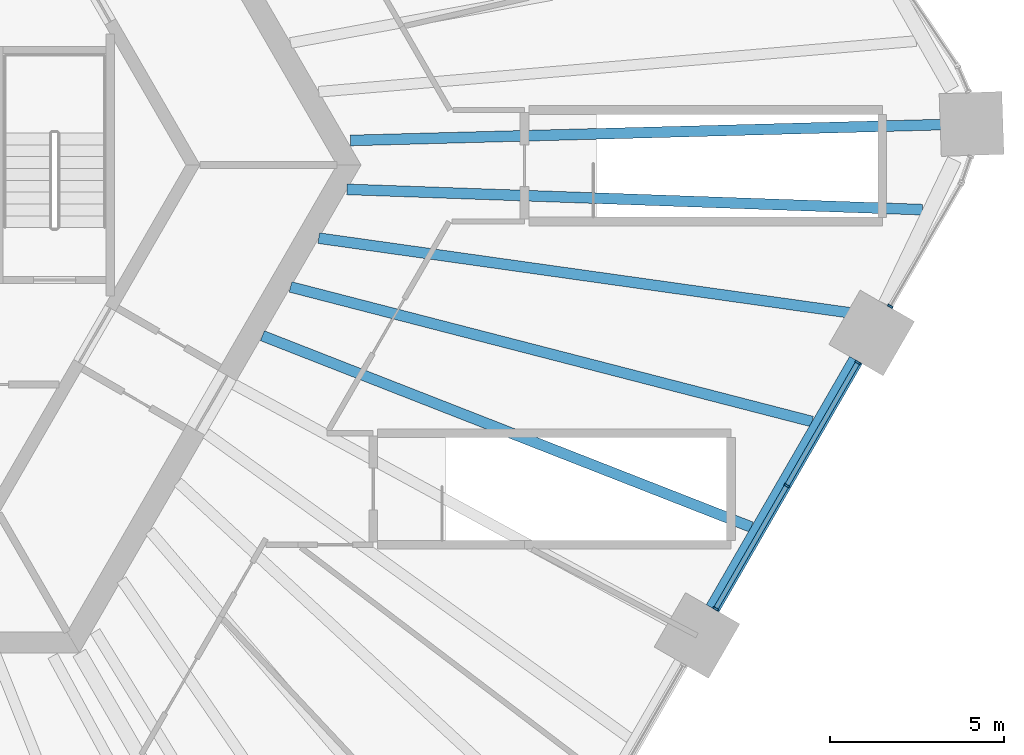
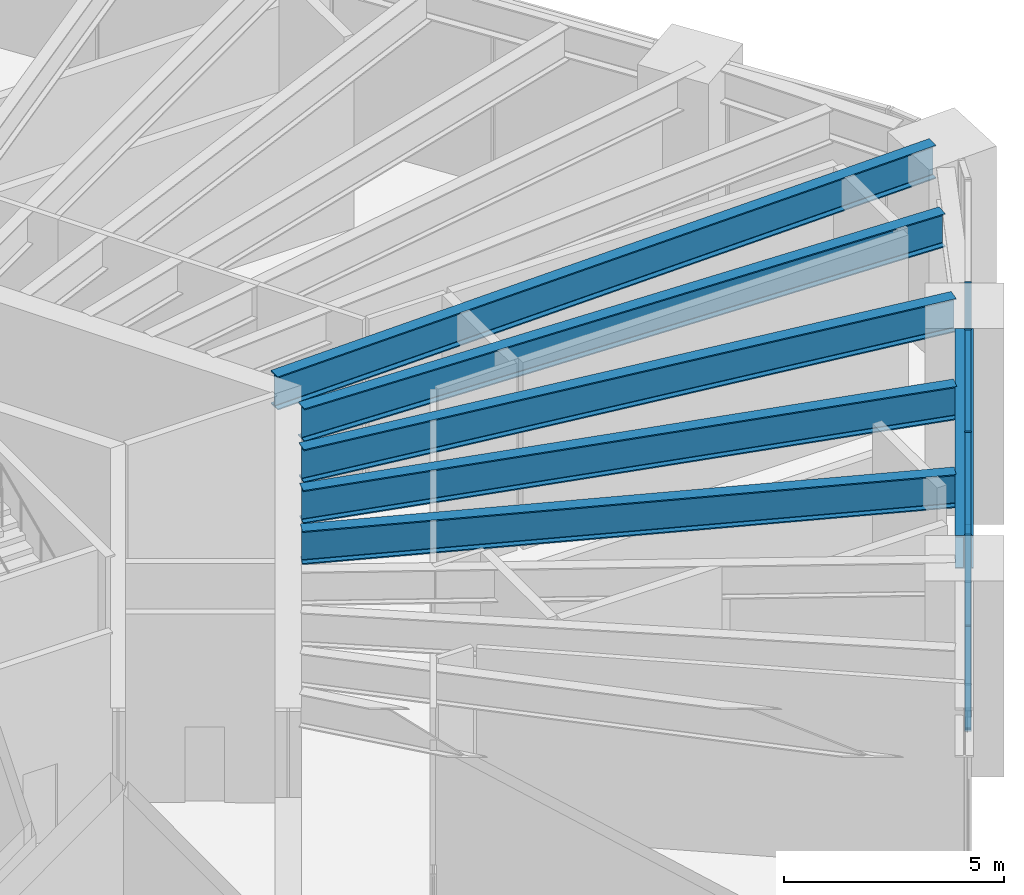
# One storey, part 5 of 25: 8 members, 6 beams, 2 elements without a shape of their own.
"""IFC4 building model written with IfcOpenShell, lengths in metres."""

import ifcopenshell
import ifcopenshell.guid

model = None  # the IFC model being written
_history = None  # IfcOwnerHistory: only IFC2X3 demands one
_inside = {}  # id of a spatial element -> (the spatial element, [elements in it])
_under = {}  # id of a project, library or spatial element -> (it, [spatial elements below it])
_declared = {}  # id of a project -> (the project, [libraries it declares])
_typed = {}  # id of a type object -> (the type object, [elements of that type])
_made_of = {}  # id of a material, layer set ... -> (it, [elements and type objects made of it])


def new_model(schema):
    """Start an empty IFC model of exactly this schema.

    Asked for "IFC4X3", IfcOpenShell would pick the latest addendum, in which some entities
    have other attributes; the version numbers below select the first issue.
    IFC2X3 requires an IfcOwnerHistory on every rooted entity: one is made here for all.
    """
    global model, _history
    if schema == "IFC4X3":
        model = ifcopenshell.file(schema_version=(4, 3, 0, 0))
    else:
        model = ifcopenshell.file(schema=schema)
    _inside.clear()
    _under.clear()
    _declared.clear()
    _typed.clear()
    _made_of.clear()
    _history = None
    if model.schema == "IFC2X3":
        org = make("IfcOrganization", Name="unknown")
        user = make(
            "IfcPersonAndOrganization",
            ThePerson=make("IfcPerson", FamilyName="unknown"),
            TheOrganization=org,
        )
        app = make(
            "IfcApplication",
            ApplicationDeveloper=org,
            Version="unknown",
            ApplicationFullName="unknown",
            ApplicationIdentifier="unknown",
        )
        _history = make(
            "IfcOwnerHistory",
            OwningUser=user,
            OwningApplication=app,
            ChangeAction="ADDED",
            CreationDate=0,
        )
    return model


def make(cls, **values):
    """One entity of the class cls with the attributes given. An attribute that is None is left unset."""
    return model.create_entity(
        cls, **{name: value for name, value in values.items() if value is not None}
    )


def rooted(cls, **values):
    """An entity with a GlobalId (a new one), such as an element, a storey or a relation."""
    return make(cls, GlobalId=ifcopenshell.guid.new(), OwnerHistory=_history, **values)


def si_unit(unit_type, name, prefix=None):
    """IfcSIUnit, for example si_unit("LENGTHUNIT", "METRE", prefix="MILLI")."""
    return make("IfcSIUnit", UnitType=unit_type, Prefix=prefix, Name=name)


def assignment(units):
    """IfcUnitAssignment: the units of a project."""
    return None if units is None else make("IfcUnitAssignment", Units=units)


def point(xyz):
    """IfcCartesianPoint."""
    return None if xyz is None else make("IfcCartesianPoint", Coordinates=xyz)


def direction(xyz):
    """IfcDirection."""
    return None if xyz is None else make("IfcDirection", DirectionRatios=xyz)


def frame(location, z_axis=None, x_axis=None):
    """IfcAxis2Placement3D, a coordinate frame: its origin and axes. An axis left out is left unset."""
    return make(
        "IfcAxis2Placement3D",
        Location=point(location),
        Axis=direction(z_axis),
        RefDirection=direction(x_axis),
    )


def frame_2d(location, x_axis=None):
    """IfcAxis2Placement2D, a coordinate frame in the plane: its origin and x axis."""
    return make(
        "IfcAxis2Placement2D", Location=point(location), RefDirection=direction(x_axis)
    )


def origin():
    """The frame at (0, 0, 0) with its axes left unset."""
    return frame((0.0, 0.0, 0.0))


def origin_2d():
    """The frame at (0, 0) in the plane with its x axis left unset."""
    return frame_2d((0.0, 0.0))


def place(relative_to, where):
    """IfcLocalPlacement: puts the frame where relative to a parent placement (None: the world)."""
    return make(
        "IfcLocalPlacement", PlacementRelTo=relative_to, RelativePlacement=where
    )


def context(
    kind, dimensions, precision=None, world=None, true_north=None, identifier=None
):
    """IfcGeometricRepresentationContext, for example the 3D "Model" context."""
    return make(
        "IfcGeometricRepresentationContext",
        ContextIdentifier=identifier,
        ContextType=kind,
        CoordinateSpaceDimension=dimensions,
        Precision=precision,
        WorldCoordinateSystem=world,
        TrueNorth=true_north,
    )


def subcontext(parent, identifier, kind, view, scale=None):
    """IfcGeometricRepresentationSubContext, for example "Body" below "Model"."""
    return make(
        "IfcGeometricRepresentationSubContext",
        ContextIdentifier=identifier,
        ContextType=kind,
        ParentContext=parent,
        TargetScale=scale,
        TargetView=view,
    )


def project(units=None, contexts=None):
    """IfcProject with its units and contexts."""
    return rooted(
        "IfcProject",
        Name="project",
        RepresentationContexts=contexts,
        UnitsInContext=assignment(units),
    )


def spatial(cls, under=None, at=None, **own):
    """A site, building, storey or space (cls), placed at a placement, below another one or the project."""
    s = rooted(cls, ObjectPlacement=at, **own)
    if under is not None:
        _under.setdefault(under.id(), (under, []))[1].append(s)
    return s


def profile(cls, at=None, kind="AREA", **sizes):
    """A parametric profile (cls). Its sizes go by their IFC names, for example OverallWidth=200.0."""
    return make(cls, ProfileType=kind, Position=at, **sizes)


def rectangle(**sizes):
    """IfcRectangleProfileDef."""
    return profile("IfcRectangleProfileDef", **sizes)


def i_section(**sizes):
    """IfcIShapeProfileDef."""
    return profile("IfcIShapeProfileDef", **sizes)


def extrude(swept, where, along, depth):
    """IfcExtrudedAreaSolid: the profile swept, set in the frame where, extruded along a direction by depth."""
    return make(
        "IfcExtrudedAreaSolid",
        SweptArea=swept,
        Position=where,
        ExtrudedDirection=direction(along),
        Depth=depth,
    )


def shape(context_of_items, identifier, shape_type, items):
    """IfcShapeRepresentation: the items that make up one representation, for example the "Body"."""
    return make(
        "IfcShapeRepresentation",
        ContextOfItems=context_of_items,
        RepresentationIdentifier=identifier,
        RepresentationType=shape_type,
        Items=items,
    )


def material(Name=None, Category=None):
    """IfcMaterial."""
    return make("IfcMaterial", Name=Name, Category=Category)


def material_profile(
    of_material, cross_section, Name=None, Category=None, Priority=None
):
    """IfcMaterialProfile: a cross section and its material."""
    return make(
        "IfcMaterialProfile",
        Name=Name,
        Material=of_material,
        Profile=cross_section,
        Priority=Priority,
        Category=Category,
    )


def profile_set(profiles, Name=None, composite=None):
    """IfcMaterialProfileSet."""
    return make(
        "IfcMaterialProfileSet",
        Name=Name,
        MaterialProfiles=profiles,
        CompositeProfile=composite,
    )


def made_of(thing, what):
    """Note that an element or type object is made of a material, layer set ...; save() writes the relation."""
    if what is not None:
        _made_of.setdefault(what.id(), (what, []))[1].append(thing)
    return thing


def type_object(cls, material=None, **own):
    """A type object (cls), such as IfcWallType, which elements share."""
    return made_of(rooted(cls, **own), material)


def element(
    cls,
    number,
    at=None,
    inside=None,
    cuts=None,
    type_object=None,
    material=None,
    context=None,
    identifier="Body",
    shape_type=None,
    held_by="IfcProductDefinitionShape",
    body=None,
    shapes=None,
    **own,
):
    """One element of the class cls, such as IfcWall. Its Tag is "e" and its number.

    at: its placement. inside: the storey or other place that contains it. cuts: it is an
    opening in that element (IfcRelVoidsElement). A single representation is given by context,
    identifier, shape_type and body (its items); several are given by shapes. held_by: the class
    of the entity that holds the representations. save() writes the other relations.
    """
    e = rooted(cls, Tag="e%d" % number, ObjectPlacement=at, **own)
    if body is not None:
        shapes = [shape(context, identifier, shape_type, body)]
    if shapes is not None:
        e.Representation = make(held_by, Representations=shapes)
    if inside is not None:
        _inside.setdefault(inside.id(), (inside, []))[1].append(e)
    if cuts is not None:
        rooted(
            "IfcRelVoidsElement", RelatingBuildingElement=cuts, RelatedOpeningElement=e
        )
    if type_object is not None:
        _typed.setdefault(type_object.id(), (type_object, []))[1].append(e)
    return made_of(e, material)


def aggregate(whole, parts):
    """IfcRelAggregates: a whole, such as a stair, and the parts it consists of."""
    return rooted("IfcRelAggregates", RelatingObject=whole, RelatedObjects=parts)


def save(model, path):
    """Write the relations noted so far, then the file.

    IfcRelAggregates (storeys below a building ...), IfcRelContainedInSpatialStructure (elements
    in a storey), IfcRelDefinesByType, IfcRelAssociatesMaterial and IfcRelDeclares: one each for
    every whole, place, type object, material and project.
    """
    for whole, parts in _under.values():
        aggregate(whole, parts)
    for where, things in _inside.values():
        rooted(
            "IfcRelContainedInSpatialStructure",
            RelatedElements=things,
            RelatingStructure=where,
        )
    for kind, things in _typed.values():
        rooted("IfcRelDefinesByType", RelatedObjects=things, RelatingType=kind)
    for what, things in _made_of.values():
        rooted("IfcRelAssociatesMaterial", RelatedObjects=things, RelatingMaterial=what)
    for by, libraries in _declared.values():
        rooted("IfcRelDeclares", RelatingContext=by, RelatedDefinitions=libraries)
    model.write(path)


model = new_model("IFC4")

# Units and contexts
model_context = context("Model", 3, precision=1e-05, world=origin(), true_north=direction((0.0, 1.0)))
body_context = subcontext(model_context, "Body", "Model", "MODEL_VIEW")
ifc_project = project(units=[si_unit("LENGTHUNIT", "METRE"), si_unit("AREAUNIT", "SQUARE_METRE"), si_unit("VOLUMEUNIT", "CUBIC_METRE"), si_unit("PLANEANGLEUNIT", "RADIAN"), si_unit("MASSUNIT", "GRAM", prefix="KILO")], contexts=[model_context])

# Site, building, storey
site_placement = place(None, origin())
site = spatial("IfcSite", under=ifc_project, at=site_placement, CompositionType="ELEMENT")
building_placement = place(site_placement, origin())
building = spatial("IfcBuilding", under=site, at=building_placement, Name="Tarnside Tower", CompositionType="ELEMENT")
storey_placement = place(building_placement, frame((0.0, 0.0, 26.0)))
storey = spatial("IfcBuildingStorey", under=building, at=storey_placement, Name="L04", CompositionType="ELEMENT", Elevation=26.0)

# Beams
ifc_material_1 = material(Name="Steel S355", Category="steel")
ifc_material_profile_1 = material_profile(ifc_material_1, i_section(OverallWidth=0.3076171875, OverallDepth=0.926513671875, WebThickness=0.01953125, FlangeThickness=0.031982421875, FilletRadius=0.01904296875, at=origin_2d()), Name="UB 914x305x289")
ifc_profile_set_1 = profile_set([ifc_material_profile_1], Name="Steel S355")
beam_type_1 = type_object("IfcBeamType", Name="Floor beam UB 914x305x289", PredefinedType="BEAM", material=ifc_profile_set_1)
beam_1_placement = place(storey_placement, frame((27.361328125, -10.38818359375, 4.73681640625), z_axis=(-0.93123225537, 0.364426242962, 0.0), x_axis=(-0.364426242962, -0.93123225537, 0.0)))
element("IfcBeam", 1, at=beam_1_placement, inside=storey, type_object=beam_type_1, Name="Floor beam F5.06", PredefinedType="BEAM", context=body_context, shape_type="SweptSolid", body=[
    extrude(i_section(OverallWidth=0.3076171875, OverallDepth=0.926513671875, WebThickness=0.01953125, FlangeThickness=0.031982421875, FilletRadius=0.01904296875, at=origin_2d()), origin(), (0.0, 0.0, 1.0), 15.06005859375),
])
beam_2_placement = place(storey_placement, frame((29.108642578125, -7.36181640625, 4.73681640625), z_axis=(-0.968273624565, 0.249892352766, 0.0), x_axis=(-0.249892352766, -0.968273624565, 0.0)))
element("IfcBeam", 2, at=beam_2_placement, inside=storey, type_object=beam_type_1, Name="Floor beam F5.07", PredefinedType="BEAM", context=body_context, shape_type="SweptSolid", body=[
    extrude(i_section(OverallWidth=0.3076171875, OverallDepth=0.926513671875, WebThickness=0.01953125, FlangeThickness=0.031982421875, FilletRadius=0.01904296875, at=origin_2d()), origin(), (0.0, 0.0, 1.0), 15.453857421875),
])
beam_3_placement = place(storey_placement, frame((30.820068359375, -4.330078125, 4.73681640625), z_axis=(-0.99026754132, 0.139176853707, 0.0), x_axis=(-0.139176853707, -0.99026754132, 0.0)))
element("IfcBeam", 3, at=beam_3_placement, inside=storey, type_object=beam_type_1, Name="Floor beam F5.08", PredefinedType="BEAM", context=body_context, shape_type="SweptSolid", body=[
    extrude(i_section(OverallWidth=0.3076171875, OverallDepth=0.926513671875, WebThickness=0.01953125, FlangeThickness=0.031982421875, FilletRadius=0.01904296875, at=origin_2d()), origin(), (0.0, 0.0, 1.0), 16.022705078125),
])
beam_4_placement = place(storey_placement, frame((32.276611328125, -1.282470703125, 4.73681640625), z_axis=(-0.999378509536, 0.035250456409, 0.0), x_axis=(-0.035250456409, -0.999378509536, 0.0)))
element("IfcBeam", 4, at=beam_4_placement, inside=storey, type_object=beam_type_1, Name="Floor beam F5.09", PredefinedType="BEAM", context=body_context, shape_type="SweptSolid", body=[
    extrude(i_section(OverallWidth=0.3076171875, OverallDepth=0.926513671875, WebThickness=0.01953125, FlangeThickness=0.031982421875, FilletRadius=0.01904296875, at=origin_2d()), origin(), (0.0, 0.0, 1.0), 16.525146484375),
])
beam_5_placement = place(storey_placement, frame((33.443603515625, 1.1748046875, 4.73681640625), z_axis=(-0.99963959557, -0.026845464589, 0.0), x_axis=(0.026845464589, -0.99963959557, 0.0)))
element("IfcBeam", 5, at=beam_5_placement, inside=storey, type_object=beam_type_1, Name="Floor beam C5", PredefinedType="BEAM", context=body_context, shape_type="SweptSolid", body=[
    extrude(i_section(OverallWidth=0.3076171875, OverallDepth=0.926513671875, WebThickness=0.01953125, FlangeThickness=0.031982421875, FilletRadius=0.01904296875, at=origin_2d()), origin(), (0.0, 0.0, 1.0), 17.58837890625),
])
ifc_material_2 = material(Name="Steel S460", Category="steel")
ifc_material_profile_2 = material_profile(ifc_material_2, i_section(OverallWidth=0.42041015625, OverallDepth=0.9208984375, WebThickness=0.021484375, FlangeThickness=0.03662109375, FilletRadius=0.024169921875, at=origin_2d()), Name="UB 914x419x388")
ifc_profile_set_2 = profile_set([ifc_material_profile_2], Name="Steel S460")
beam_type_2 = type_object("IfcBeamType", Name="Perimeter girder UB 914x419x388", PredefinedType="BEAM", material=ifc_profile_set_2)
beam_6_placement = place(storey_placement, frame((26.2568359375, -12.7216796875, 4.739501953125), z_axis=(0.500002567197, 0.866023921607, 0.0), x_axis=(-0.866023921607, 0.500002567197, 0.0)))
element("IfcBeam", 6, at=beam_6_placement, inside=storey, type_object=beam_type_2, Name="Perimeter girder M18", PredefinedType="BEAM", context=body_context, shape_type="SweptSolid", body=[
    extrude(i_section(OverallWidth=0.42041015625, OverallDepth=0.9208984375, WebThickness=0.021484375, FlangeThickness=0.03662109375, FilletRadius=0.024169921875, at=origin_2d()), origin(), (0.0, 0.0, 1.0), 8.2236328125),
])

# Curtain wall, members
ifc_material_3 = material(Name="Retail shopfront glazing wall", Category="glass")
curtain_wall_type = type_object("IfcCurtainWallType", Name="Retail shopfront glazing wall", PredefinedType="NOTDEFINED", material=ifc_material_3)
curtain_wall_1_placement = place(storey_placement, origin())
curtain_wall_1 = element("IfcCurtainWall", 7, at=curtain_wall_1_placement, inside=storey, type_object=curtain_wall_type, Name="Retail shopfront glazing L04 17.0", PredefinedType="NOTDEFINED")
ifc_material_4 = material(Name="Aluminium alloy 6063", Category="aluminium")
ifc_material_profile_3 = material_profile(ifc_material_4, rectangle(XDim=0.159912109375, YDim=0.06005859375, at=origin_2d()), Name="Retail shopfront glazing mullion 60 x 160")
ifc_profile_set_3 = profile_set([ifc_material_profile_3], Name="Aluminium alloy 6063")
member_type_1 = type_object("IfcMemberType", Name="Retail shopfront glazing mullion 60 x 160", PredefinedType="MULLION", material=ifc_profile_set_3)
member_1_placement = place(storey_placement, frame((26.341064453125, -12.73583984375, -0.25), z_axis=(0.0, 0.0, 1.0), x_axis=(-0.866025403741, 0.500000000076, 0.0)))
member_1 = element("IfcMember", 8, at=member_1_placement, type_object=member_type_1, Name="CW2 mullion 1", PredefinedType="MULLION", context=body_context, shape_type="SweptSolid", body=[
    extrude(rectangle(XDim=0.159912109375, YDim=0.06005859375, at=origin_2d()), origin(), (0.0, 0.0, 1.0), 5.449951171875),
])
member_2_placement = place(storey_placement, frame((28.382080078125, -9.20068359375, -0.25), z_axis=(0.0, 0.0, 1.0), x_axis=(-0.866025403741, 0.500000000076, 0.0)))
member_2 = element("IfcMember", 9, at=member_2_placement, type_object=member_type_1, Name="CW2 mullion 2", PredefinedType="MULLION", context=body_context, shape_type="SweptSolid", body=[
    extrude(rectangle(XDim=0.159912109375, YDim=0.06005859375, at=origin_2d()), origin(), (0.0, 0.0, 1.0), 5.449951171875),
])
member_3_placement = place(storey_placement, frame((30.423095703125, -5.665771484375, -0.25), z_axis=(0.0, 0.0, 1.0), x_axis=(-0.866025403741, 0.500000000076, 0.0)))
member_3 = element("IfcMember", 10, at=member_3_placement, type_object=member_type_1, Name="CW2 mullion 3", PredefinedType="MULLION", context=body_context, shape_type="SweptSolid", body=[
    extrude(rectangle(XDim=0.159912109375, YDim=0.06005859375, at=origin_2d()), origin(), (0.0, 0.0, 1.0), 5.449951171875),
])

# Curtain wall, member
curtain_wall_2_placement = place(storey_placement, origin())
curtain_wall_2 = element("IfcCurtainWall", 11, at=curtain_wall_2_placement, inside=storey, type_object=curtain_wall_type, Name="Retail shopfront glazing L04 18.0", PredefinedType="NOTDEFINED")
member_4_placement = place(storey_placement, frame((31.35302734375, -4.054931640625, -0.25), z_axis=(0.0, 0.0, 1.0), x_axis=(-0.866025403872, 0.499999999849, 0.0)))
member_4 = element("IfcMember", 12, at=member_4_placement, type_object=member_type_1, Name="CW2 mullion 1", PredefinedType="MULLION", context=body_context, shape_type="SweptSolid", body=[
    extrude(rectangle(XDim=0.159912109375, YDim=0.06005859375, at=origin_2d()), origin(), (0.0, 0.0, 1.0), 5.449951171875),
])
aggregate(curtain_wall_2, [member_4])

# Member
ifc_material_profile_4 = material_profile(ifc_material_4, rectangle(XDim=0.139892578125, YDim=0.06005859375, at=origin_2d()), Name="Retail shopfront glazing transom 60 x 140")
ifc_profile_set_4 = profile_set([ifc_material_profile_4], Name="Aluminium alloy 6063")
member_type_2 = type_object("IfcMemberType", Name="Retail shopfront glazing transom 60 x 140", PredefinedType="USERDEFINED", material=ifc_profile_set_4)
member_5_placement = place(storey_placement, frame((26.356201171875, -12.709716796875, -0.219970703125), z_axis=(0.500023722852, 0.866011706956, 0.0), x_axis=(-0.866011706956, 0.500023722852, 0.0)))
member_5 = element("IfcMember", 13, at=member_5_placement, type_object=member_type_2, Name="CW2 transom 1.1", ObjectType="TRANSOM", PredefinedType="USERDEFINED", context=body_context, shape_type="SweptSolid", body=[
    extrude(rectangle(XDim=0.139892578125, YDim=0.06005859375, at=origin_2d()), origin(), (0.0, 0.0, 1.0), 4.021728515625),
])

member_6_placement = place(storey_placement, frame((26.356201171875, -12.709716796875, 5.169921875), z_axis=(0.500023722852, 0.866011706956, 0.0), x_axis=(-0.866011706956, 0.500023722852, 0.0)))
member_6 = element("IfcMember", 14, at=member_6_placement, type_object=member_type_2, Name="CW2 transom 1.2", ObjectType="TRANSOM", PredefinedType="USERDEFINED", context=body_context, shape_type="SweptSolid", body=[
    extrude(rectangle(XDim=0.139892578125, YDim=0.06005859375, at=origin_2d()), origin(), (0.0, 0.0, 1.0), 4.021728515625),
])

member_7_placement = place(storey_placement, frame((28.39697265625, -9.1748046875, -0.219970703125), z_axis=(0.500023722852, 0.866011706956, 0.0), x_axis=(-0.866011706956, 0.500023722852, 0.0)))
member_7 = element("IfcMember", 15, at=member_7_placement, type_object=member_type_2, Name="CW2 transom 2.1", ObjectType="TRANSOM", PredefinedType="USERDEFINED", context=body_context, shape_type="SweptSolid", body=[
    extrude(rectangle(XDim=0.139892578125, YDim=0.06005859375, at=origin_2d()), origin(), (0.0, 0.0, 1.0), 4.021728515625),
])

member_8_placement = place(storey_placement, frame((28.39697265625, -9.1748046875, 5.169921875), z_axis=(0.500023722852, 0.866011706956, 0.0), x_axis=(-0.866011706956, 0.500023722852, 0.0)))
member_8 = element("IfcMember", 16, at=member_8_placement, type_object=member_type_2, Name="CW2 transom 2.2", ObjectType="TRANSOM", PredefinedType="USERDEFINED", context=body_context, shape_type="SweptSolid", body=[
    extrude(rectangle(XDim=0.139892578125, YDim=0.06005859375, at=origin_2d()), origin(), (0.0, 0.0, 1.0), 4.021728515625),
])

aggregate(curtain_wall_1, [member_1, member_2, member_3, member_5, member_6, member_7, member_8])

save(model, "model.ifc")
